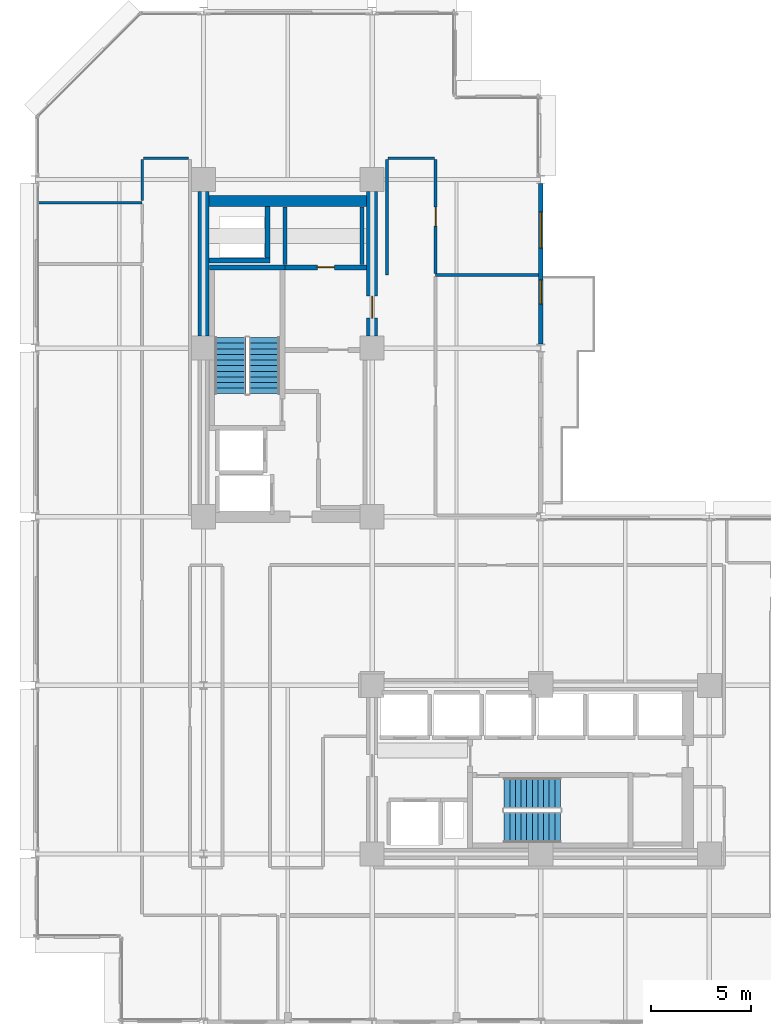
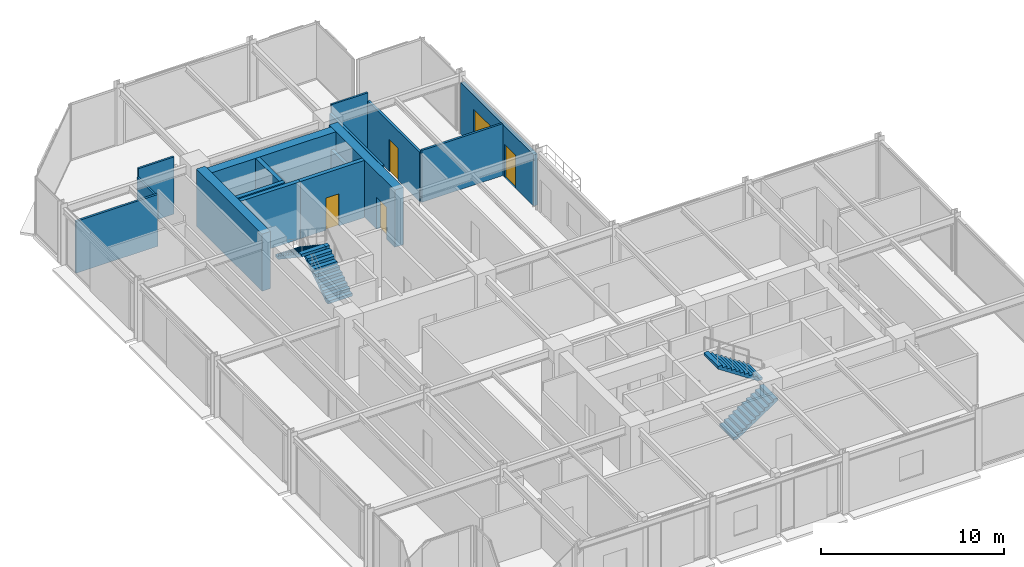
# One storey, part 26 of 30: 17 walls, 4 doors, 4 stair flights, 1 window, 5 openings, 2 elements without a shape of their own.
"""IFC4 building model written with IfcOpenShell, lengths in metres."""

from ifc_helpers import new_model, si_unit, direction, frame, frame_2d, origin, place, context, subcontext, project, spatial, polyline, rectangle, outline, extrude, material, layer, layer_set, type_object, element, fill, aggregate, save


model = new_model("IFC4")

# Units and contexts
model_context = context("Model", 3, precision=1e-05, world=origin(), true_north=direction((0.0, 1.0)))
body_context = subcontext(model_context, "Body", "Model", "MODEL_VIEW")
ifc_project = project(units=[si_unit("LENGTHUNIT", "METRE"), si_unit("AREAUNIT", "SQUARE_METRE"), si_unit("VOLUMEUNIT", "CUBIC_METRE"), si_unit("PLANEANGLEUNIT", "RADIAN"), si_unit("MASSUNIT", "GRAM", prefix="KILO")], contexts=[model_context])

# Site, building, storey
site_placement = place(None, origin())
site = spatial("IfcSite", under=ifc_project, at=site_placement, CompositionType="ELEMENT")
building_placement = place(site_placement, origin())
building = spatial("IfcBuilding", under=site, at=building_placement, Name="Nerrivon Quay Data Exchange", CompositionType="ELEMENT")
storey_placement = place(building_placement, frame((0.0, 0.0, 154.10009765625)))
storey = spatial("IfcBuildingStorey", under=building, at=storey_placement, Name="L36", CompositionType="ELEMENT", Elevation=154.10009765625)

# Wall, openings, door, window
ifc_material_1 = material(Name="Architectural terracotta precast concrete N50 (50 MPa)", Category="masonry")
ifc_layer_1 = layer(ifc_material_1, 0.239990234375)
ifc_layer_set_1 = layer_set([ifc_layer_1], Name="Architectural terracotta precast concrete N50 (50 MPa)")
wall_type_1 = type_object("IfcWallType", Name="EW-PREC-240", PredefinedType="STANDARD", material=ifc_layer_set_1)
wall_1_placement = place(storey_placement, frame((25.199951171875, 41.800048828125, 0.0), z_axis=(0.0, 0.0, 1.0), x_axis=(0.0, -1.0, 0.0)))
wall_1 = element("IfcWall", 1, at=wall_1_placement, inside=storey, type_object=wall_type_1, Name="L36 Terrace Host Wall 24", PredefinedType="STANDARD", context=body_context, shape_type="SweptSolid", body=[
    extrude(rectangle(XDim=8.0, YDim=0.239990234375, at=frame_2d((4.0, 0.0))), origin(), (0.0, 0.0, 1.0), 3.421875),
])
opening_1_placement = place(wall_1_placement, frame((4.800048828125, 0.0, 0.0)))
opening_1 = element("IfcOpeningElement", 2, at=opening_1_placement, cuts=wall_1, Name="Opening TD1", PredefinedType="OPENING", context=body_context, shape_type="SweptSolid", body=[
    extrude(rectangle(XDim=1.199951171875, YDim=2.199951171875, at=frame_2d((0.60009765625, 1.10009765625))), frame((0.0, 0.1298828125, 0.0), z_axis=(0.0, -1.0, 0.0), x_axis=(1.0, 0.0, 0.0)), (0.0, 0.0, 1.0), 0.260009765625),
])
opening_2_placement = place(wall_1_placement, frame((1.410888671875, 0.0, 0.89990234375)))
opening_2 = element("IfcOpeningElement", 3, at=opening_2_placement, cuts=wall_1, Name="Opening WN2", PredefinedType="OPENING", context=body_context, shape_type="SweptSolid", body=[
    extrude(rectangle(XDim=1.800048828125, YDim=1.60009765625, at=frame_2d((0.89990234375, 0.800048828125))), frame((0.0, 0.1298828125, 0.0), z_axis=(0.0, -1.0, 0.0), x_axis=(1.0, 0.0, 0.0)), (0.0, 0.0, 1.0), 0.260009765625),
])
ifc_material_2 = material(Name="Double-glazed low-E solar control glass", Category="glass")
door_type_1 = type_object("IfcDoorType", Name="DR-TERR-1200x2200", OperationType="NOTDEFINED", PredefinedType="DOOR", material=ifc_material_2)
door_1_placement = place(opening_1_placement, origin())
door_1 = element("IfcDoor", 4, at=door_1_placement, inside=storey, type_object=door_type_1, Name="L36 Outdoor Terrace Access Door 24", OperationType="SINGLE_SWING_LEFT", OverallHeight=2.199951171875, OverallWidth=1.199951171875, PredefinedType="DOOR", context=body_context, shape_type="SweptSolid", body=[
    extrude(rectangle(XDim=1.199951171875, YDim=2.199951171875, at=frame_2d((0.60009765625, 1.10009765625))), frame((0.0, 0.02490234375, 0.0), z_axis=(0.0, -1.0, 0.0), x_axis=(1.0, 0.0, 0.0)), (0.0, 0.0, 1.0), 0.050048828125),
])
fill(opening_1, door_1)
window_type = type_object("IfcWindowType", Name="WIN-W2-1800x1600", PartitioningType="SINGLE_PANEL", PredefinedType="WINDOW", material=ifc_material_2)
window_placement = place(opening_2_placement, origin())
window = element("IfcWindow", 5, at=window_placement, inside=storey, type_object=window_type, Name="L36 Terrace Side Window 24", OverallHeight=1.60009765625, OverallWidth=1.800048828125, PartitioningType="SINGLE_PANEL", PredefinedType="WINDOW", context=body_context, shape_type="SweptSolid", body=[
    extrude(rectangle(XDim=1.800048828125, YDim=1.60009765625, at=frame_2d((0.89990234375, 0.800048828125))), frame((0.0, 0.030029296875, 0.0), z_axis=(0.0, -1.0, 0.0), x_axis=(1.0, 0.0, 0.0)), (0.0, 0.0, 1.0), 0.06005859375),
])
fill(opening_2, window)

# Walls
ifc_material_3 = material(Name="Concrete S65 (65 MPa)", Category="concrete")
ifc_layer_2 = layer(ifc_material_3, 0.550048828125)
ifc_layer_set_2 = layer_set([ifc_layer_2], Name="Concrete S65 (65 MPa)")
wall_type_2 = type_object("IfcWallType", Name="WALL-CW-700", PredefinedType="SHEAR", material=ifc_layer_set_2)
wall_2_placement = place(storey_placement, frame((8.39990234375, 34.199951171875, 0.0), z_axis=(0.0, 0.0, 1.0), x_axis=(0.0, 1.0, 0.0)))
element("IfcWall", 6, at=wall_2_placement, inside=storey, type_object=wall_type_2, Name="L36 West Split-Core Shear Wall WCW-W2", PredefinedType="SHEAR", context=body_context, shape_type="SweptSolid", body=[
    extrude(rectangle(XDim=7.199951171875, YDim=0.550048828125, at=frame_2d((3.60009765625, 0.0))), origin(), (0.0, 0.0, 1.0), 3.824951171875),
])
wall_3_placement = place(storey_placement, frame((8.675048828125, 40.925048828125, 0.0), z_axis=(0.0, 0.0, 1.0), x_axis=(1.0, 0.0, 0.0)))
element("IfcWall", 7, at=wall_3_placement, inside=storey, type_object=wall_type_2, Name="L36 West Split-Core Shear Wall WCW-N1", PredefinedType="SHEAR", context=body_context, shape_type="SweptSolid", body=[
    extrude(rectangle(XDim=7.849853515625, YDim=0.550048828125, at=frame_2d((3.9248046875, 0.0))), origin(), (0.0, 0.0, 1.0), 3.824951171875),
])

# Wall, opening, door
wall_4_placement = place(storey_placement, frame((16.800048828125, 34.199951171875, 0.0), z_axis=(0.0, 0.0, 1.0), x_axis=(0.0, 1.0, 0.0)))
wall_4 = element("IfcWall", 8, at=wall_4_placement, inside=storey, type_object=wall_type_2, Name="L36 West Split-Core Shear Wall WCW-E1", PredefinedType="SHEAR", context=body_context, shape_type="SweptSolid", body=[
    extrude(rectangle(XDim=7.199951171875, YDim=0.550048828125, at=frame_2d((3.60009765625, 0.0))), origin(), (0.0, 0.0, 1.0), 3.824951171875),
])
opening_3_placement = place(wall_4_placement, frame((0.89990234375, 0.0, 0.0)))
opening_3 = element("IfcOpeningElement", 9, at=opening_3_placement, cuts=wall_4, Name="Opening FD-120", PredefinedType="OPENING", context=body_context, shape_type="SweptSolid", body=[
    extrude(rectangle(XDim=1.10009765625, YDim=2.14990234375, at=frame_2d((0.550048828125, 1.074951171875))), frame((0.0, 0.284912109375, 0.0), z_axis=(0.0, -1.0, 0.0), x_axis=(1.0, 0.0, 0.0)), (0.0, 0.0, 1.0), 0.570068359375),
])
ifc_material_4 = material(Name="Powder-coated galvanized steel sheet", Category="steel")
door_type_2 = type_object("IfcDoorType", Name="DR-FD120-1100", OperationType="NOTDEFINED", PredefinedType="DOOR", material=ifc_material_4)
door_2_placement = place(opening_3_placement, origin())
door_2 = element("IfcDoor", 10, at=door_2_placement, inside=storey, type_object=door_type_2, Name="L36 West Core Lobby Fire Door", OperationType="SINGLE_SWING_RIGHT", OverallHeight=2.14990234375, OverallWidth=1.10009765625, PredefinedType="DOOR", context=body_context, shape_type="SweptSolid", body=[
    extrude(rectangle(XDim=1.10009765625, YDim=2.14990234375, at=frame_2d((0.550048828125, 1.074951171875))), frame((0.0, 0.02490234375, 0.0), z_axis=(0.0, -1.0, 0.0), x_axis=(1.0, 0.0, 0.0)), (0.0, 0.0, 1.0), 0.050048828125),
])
fill(opening_3, door_2)

# Walls
ifc_material_5 = material(Name="Gypsum plasterboard on cold-formed framing", Category="gypsum")
ifc_layer_3 = layer(ifc_material_5, 0.199951171875)
ifc_layer_set_3 = layer_set([ifc_layer_3], Name="Gypsum plasterboard on cold-formed framing")
wall_type_3 = type_object("IfcWallType", Name="WALL-FW-200", PredefinedType="PARTITIONING", material=ifc_layer_set_3)
for number, where, z_axis, x_axis, name in (
    (11, (16.300048828125, 37.780029296875, 0.0), (0.0, 0.0, 1.0), (0.0, 1.0, 0.0), "L36 Partition Cleaners Store"),
    (12, (12.449951171875, 40.64599609375, 0.0), (0.0, 0.0, 1.0), (0.0, -1.0, 0.0), "L36 Partition Cleaners Store"),
):
    element("IfcWall", number, at=place(storey_placement, frame(where, z_axis=z_axis, x_axis=x_axis)), inside=storey, type_object=wall_type_3, Name=name, PredefinedType="PARTITIONING", context=body_context, shape_type="SweptSolid", body=[
        extrude(rectangle(XDim=2.865966796875, YDim=0.199951171875, at=frame_2d((1.43310546875, 0.0))), origin(), (0.0, 0.0, 1.0), 2.724853515625),
    ])
ifc_layer_4 = layer(ifc_material_5, 0.1201171875)
ifc_layer_set_4 = layer_set([ifc_layer_4], Name="Gypsum plasterboard on cold-formed framing")
wall_type_4 = type_object("IfcWallType", Name="WALL-PT-120", PredefinedType="PARTITIONING", material=ifc_layer_set_4)
wall_5_placement = place(storey_placement, frame((17.60009765625, 43.06005859375, 0.0), z_axis=(0.0, 0.0, 1.0), x_axis=(1.0, 0.0, 0.0)))
element("IfcWall", 13, at=wall_5_placement, inside=storey, type_object=wall_type_4, Name="L36 Partition Technical Seminar Room", PredefinedType="PARTITIONING", context=body_context, shape_type="SweptSolid", body=[
    extrude(rectangle(XDim=2.2998046875, YDim=0.1201171875, at=frame_2d((1.14990234375, 0.0))), origin(), (0.0, 0.0, 1.0), 3.824951171875),
])
wall_6_placement = place(storey_placement, frame((5.340087890625, 40.969970703125, 0.0), z_axis=(0.0, 0.0, 1.0), x_axis=(0.0, 1.0, 0.0)))
element("IfcWall", 14, at=wall_6_placement, inside=storey, type_object=wall_type_4, Name="L36 Partition Technical Seminar Room", PredefinedType="PARTITIONING", context=body_context, shape_type="SweptSolid", body=[
    extrude(rectangle(XDim=2.030029296875, YDim=0.1201171875, at=frame_2d((1.01513671875, 0.0))), origin(), (0.0, 0.0, 1.0), 3.2919921875),
])
wall_7_placement = place(storey_placement, frame((5.39990234375, 43.06005859375, 0.0), z_axis=(0.0, 0.0, 1.0), x_axis=(1.0, 0.0, 0.0)))
element("IfcWall", 15, at=wall_7_placement, inside=storey, type_object=wall_type_4, Name="L36 Partition Technical Seminar Room", PredefinedType="PARTITIONING", context=body_context, shape_type="SweptSolid", body=[
    extrude(rectangle(XDim=2.25, YDim=0.1201171875, at=frame_2d((1.125, 0.0))), origin(), (0.0, 0.0, 1.0), 3.824951171875),
])
ifc_layer_5 = layer(ifc_material_5, 0.135009765625)
ifc_layer_set_5 = layer_set([ifc_layer_5], Name="Gypsum plasterboard on cold-formed framing")
wall_type_5 = type_object("IfcWallType", Name="WALL-PT-135", PredefinedType="PARTITIONING", material=ifc_layer_set_5)
wall_8_placement = place(storey_placement, frame((5.340087890625, 40.85009765625, 0.0), z_axis=(0.0, 0.0, 1.0), x_axis=(-1.0, 0.0, 0.0)))
element("IfcWall", 16, at=wall_8_placement, inside=storey, type_object=wall_type_5, Name="L36 Partition Accessible Toilet", PredefinedType="PARTITIONING", context=body_context, shape_type="SweptSolid", body=[
    extrude(rectangle(XDim=5.171142578125, YDim=0.135009765625, at=frame_2d((2.58544921875, 0.0))), origin(), (0.0, 0.0, 1.0), 3.468994140625),
])
wall_9_placement = place(storey_placement, frame((25.075927734375, 37.248046875, 0.0), z_axis=(0.0, 0.0, 1.0), x_axis=(-1.0, 0.0, 0.0)))
element("IfcWall", 17, at=wall_9_placement, inside=storey, type_object=wall_type_5, Name="L36 Partition Executive Boardroom", PredefinedType="PARTITIONING", context=body_context, shape_type="SweptSolid", body=[
    extrude(rectangle(XDim=5.115966796875, YDim=0.135009765625, at=frame_2d((2.55810546875, 0.0))), origin(), (0.0, 0.0, 1.0), 3.468994140625),
])
ifc_layer_6 = layer(ifc_material_5, 0.14990234375)
ifc_layer_set_6 = layer_set([ifc_layer_6], Name="Gypsum plasterboard on cold-formed framing")
wall_type_6 = type_object("IfcWallType", Name="WALL-PT-150", PredefinedType="PARTITIONING", material=ifc_layer_set_6)
wall_10_placement = place(storey_placement, frame((17.5400390625, 37.248046875, 0.0), z_axis=(0.0, 0.0, 1.0), x_axis=(0.0, 1.0, 0.0)))
element("IfcWall", 18, at=wall_10_placement, inside=storey, type_object=wall_type_6, Name="L36 Partition Technical Seminar Room", PredefinedType="PARTITIONING", context=body_context, shape_type="SweptSolid", body=[
    extrude(rectangle(XDim=5.751953125, YDim=0.14990234375, at=frame_2d((2.8759765625, 0.0))), origin(), (0.0, 0.0, 1.0), 3.2919921875),
])

# Wall, opening, door
wall_11_placement = place(storey_placement, frame((19.9599609375, 43.0, 0.0), z_axis=(0.0, 0.0, 1.0), x_axis=(0.0, -1.0, 0.0)))
wall_11 = element("IfcWall", 19, at=wall_11_placement, inside=storey, type_object=wall_type_6, Name="L36 Partition Technical Seminar Room", PredefinedType="PARTITIONING", context=body_context, shape_type="SweptSolid", body=[
    extrude(rectangle(XDim=5.680419921875, YDim=0.14990234375, at=frame_2d((2.84033203125, 0.0))), origin(), (0.0, 0.0, 1.0), 3.2919921875),
])
opening_4_placement = place(wall_11_placement, frame((2.365234375, 0.0, 0.0)))
opening_4 = element("IfcOpeningElement", 20, at=opening_4_placement, cuts=wall_11, Name="Opening D-01", PredefinedType="OPENING", context=body_context, shape_type="SweptSolid", body=[
    extrude(rectangle(XDim=0.949951171875, YDim=2.14990234375, at=frame_2d((0.47509765625, 1.074951171875))), frame((0.0, 0.0849609375, 0.0), z_axis=(0.0, -1.0, 0.0), x_axis=(1.0, 0.0, 0.0)), (0.0, 0.0, 1.0), 0.169921875),
])
ifc_material_6 = material(Name="Engineered hardwood timber", Category="wood")
door_type_3 = type_object("IfcDoorType", Name="DR-INT-950", OperationType="NOTDEFINED", PredefinedType="DOOR", material=ifc_material_6)
door_3_placement = place(opening_4_placement, origin())
door_3 = element("IfcDoor", 21, at=door_3_placement, inside=storey, type_object=door_type_3, Name="L36 Door Technical Seminar Room", OperationType="SINGLE_SWING_LEFT", OverallHeight=2.14990234375, OverallWidth=0.949951171875, PredefinedType="DOOR", context=body_context, shape_type="SweptSolid", body=[
    extrude(rectangle(XDim=0.949951171875, YDim=2.14990234375, at=frame_2d((0.47509765625, 1.074951171875))), frame((0.0, 0.02490234375, 0.0), z_axis=(0.0, -1.0, 0.0), x_axis=(1.0, 0.0, 0.0)), (0.0, 0.0, 1.0), 0.050048828125),
])
fill(opening_4, door_3)

# Walls
ifc_material_7 = material(Name="Concrete N50 (50 MPa)", Category="concrete")
ifc_layer_7 = layer(ifc_material_7, 0.25)
ifc_layer_set_7 = layer_set([ifc_layer_7], Name="Concrete N50 (50 MPa)")
wall_type_7 = type_object("IfcWallType", Name="WALL-SW-250", PredefinedType="SHEAR", material=ifc_layer_set_7)
wall_12_placement = place(storey_placement, frame((12.449951171875, 37.625, 0.0), z_axis=(0.0, 0.0, 1.0), x_axis=(-1.0, 0.0, 0.0)))
element("IfcWall", 22, at=wall_12_placement, inside=storey, type_object=wall_type_7, Name="L36 ST01 Structural Stair Core Wall FAR", PredefinedType="SHEAR", context=body_context, shape_type="SweptSolid", body=[
    extrude(rectangle(XDim=3.75, YDim=0.25, at=frame_2d((1.875, 0.0))), origin(), (0.0, 0.0, 1.0), 3.824951171875),
])
wall_13_placement = place(storey_placement, frame((8.675048828125, 37.97509765625, 0.0), z_axis=(0.0, 0.0, 1.0), x_axis=(1.0, 0.0, 0.0)))
element("IfcWall", 23, at=wall_13_placement, inside=storey, type_object=wall_type_7, Name="L36 West Core MEP Riser Shaft Wall S", PredefinedType="SHEAR", context=body_context, shape_type="SweptSolid", body=[
    extrude(rectangle(XDim=3.02490234375, YDim=0.25, at=frame_2d((1.512451171875, 0.0))), origin(), (0.0, 0.0, 1.0), 3.824951171875),
])
wall_14_placement = place(storey_placement, frame((11.574951171875, 38.10009765625, 0.0), z_axis=(0.0, 0.0, 1.0), x_axis=(0.0, 1.0, 0.0)))
element("IfcWall", 24, at=wall_14_placement, inside=storey, type_object=wall_type_7, Name="L36 West Core MEP Riser Shaft Wall E", PredefinedType="SHEAR", context=body_context, shape_type="SweptSolid", body=[
    extrude(rectangle(XDim=2.5498046875, YDim=0.25, at=frame_2d((1.27490234375, 0.0))), origin(), (0.0, 0.0, 1.0), 3.824951171875),
])

# Wall, opening, door
wall_15_placement = place(storey_placement, frame((12.449951171875, 37.625, 0.0), z_axis=(0.0, 0.0, 1.0), x_axis=(1.0, 0.0, 0.0)))
wall_15 = element("IfcWall", 25, at=wall_15_placement, inside=storey, type_object=wall_type_7, Name="L36 West Firefighting Lobby Wall", PredefinedType="SHEAR", context=body_context, shape_type="SweptSolid", body=[
    extrude(rectangle(XDim=4.074951171875, YDim=0.25, at=frame_2d((2.03759765625, 0.0))), origin(), (0.0, 0.0, 1.0), 3.824951171875),
])
opening_5_placement = place(wall_15_placement, frame((1.612548828125, 0.0, 0.0)))
opening_5 = element("IfcOpeningElement", 26, at=opening_5_placement, cuts=wall_15, Name="Opening FD-60S", PredefinedType="OPENING", context=body_context, shape_type="SweptSolid", body=[
    extrude(rectangle(XDim=0.85009765625, YDim=2.14990234375, at=frame_2d((0.425048828125, 1.074951171875))), frame((0.0, 0.135009765625, 0.0), z_axis=(0.0, -1.0, 0.0), x_axis=(1.0, 0.0, 0.0)), (0.0, 0.0, 1.0), 0.27001953125),
])
door_type_4 = type_object("IfcDoorType", Name="DR-FD60-850", OperationType="NOTDEFINED", PredefinedType="DOOR", material=ifc_material_6)
door_4_placement = place(opening_5_placement, origin())
door_4 = element("IfcDoor", 27, at=door_4_placement, inside=storey, type_object=door_type_4, Name="L36 Door Cleaners Store", OperationType="SINGLE_SWING_LEFT", OverallHeight=2.14990234375, OverallWidth=0.85009765625, PredefinedType="DOOR", context=body_context, shape_type="SweptSolid", body=[
    extrude(rectangle(XDim=0.85009765625, YDim=2.14990234375, at=frame_2d((0.425048828125, 1.074951171875))), frame((0.0, 0.02490234375, 0.0), z_axis=(0.0, -1.0, 0.0), x_axis=(1.0, 0.0, 0.0)), (0.0, 0.0, 1.0), 0.050048828125),
])
fill(opening_5, door_4)

# Stair, stair flights
stair_type = type_object("IfcStairType", Name="STAIR-DOG-41", PredefinedType="HALF_TURN_STAIR", material=ifc_material_7)
stair_1_placement = place(storey_placement, origin())
stair_1 = element("IfcStair", 28, at=stair_1_placement, inside=storey, type_object=stair_type, Name="L36 West Core Fire Stair ST01", PredefinedType="HALF_TURN_STAIR")
stair_flight_type = type_object("IfcStairFlightType", Name="FLIGHT-DOG-41", PredefinedType="STRAIGHT", material=ifc_material_7)
stair_flight_1_placement = place(storey_placement, frame((11.425048828125, 31.330078125, 0.0), z_axis=(0.0, 0.0, 1.0), x_axis=(0.0, 1.0, 0.0)))
stair_flight_1 = element("IfcStairFlight", 29, at=stair_flight_1_placement, type_object=stair_flight_type, Name="ST01 flight 1", NumberOfRisers=11, NumberOfTreads=10, PredefinedType="STRAIGHT", RiserHeight=0.186363636, TreadLength=0.28, context=body_context, shape_type="SweptSolid", body=[
    extrude(outline(polyline([(0.0, 0.0), (0.0, 0.186279296875), (0.280029296875, 0.186279296875), (0.280029296875, 0.372802734375), (0.56005859375, 0.372802734375), (0.56005859375, 0.55908203125), (0.840087890625, 0.55908203125), (0.840087890625, 0.745361328125), (1.1201171875, 0.745361328125), (1.1201171875, 0.931884765625), (1.39990234375, 0.931884765625), (1.39990234375, 1.1181640625), (1.679931640625, 1.1181640625), (1.679931640625, 1.304443359375), (1.9599609375, 1.304443359375), (1.9599609375, 1.490966796875), (2.239990234375, 1.490966796875), (2.239990234375, 1.67724609375), (2.52001953125, 1.67724609375), (2.52001953125, 1.863525390625), (2.800048828125, 1.863525390625), (2.800048828125, 2.050048828125), (2.800048828125, 1.68359375), (0.2705078125, 0.0), (0.0, 0.0)])), frame((0.0, 0.77490234375, 0.0), z_axis=(0.0, -1.0, 0.0), x_axis=(1.0, 0.0, 0.0)), (0.0, 0.0, 1.0), 1.550048828125),
])
stair_flight_2_placement = place(storey_placement, frame((9.72509765625, 34.1298828125, 2.0498046875), z_axis=(0.0, 0.0, 1.0), x_axis=(0.0, -1.0, 0.0)))
stair_flight_2 = element("IfcStairFlight", 30, at=stair_flight_2_placement, type_object=stair_flight_type, Name="ST01 flight 2", NumberOfRisers=11, NumberOfTreads=10, PredefinedType="STRAIGHT", RiserHeight=0.186363636, TreadLength=0.28, context=body_context, shape_type="SweptSolid", body=[
    extrude(outline(polyline([(0.0, 0.0), (0.0, 0.186279296875), (0.280029296875, 0.186279296875), (0.280029296875, 0.372802734375), (0.56005859375, 0.372802734375), (0.56005859375, 0.55908203125), (0.840087890625, 0.55908203125), (0.840087890625, 0.745361328125), (1.1201171875, 0.745361328125), (1.1201171875, 0.931884765625), (1.39990234375, 0.931884765625), (1.39990234375, 1.1181640625), (1.679931640625, 1.1181640625), (1.679931640625, 1.304443359375), (1.9599609375, 1.304443359375), (1.9599609375, 1.490966796875), (2.239990234375, 1.490966796875), (2.239990234375, 1.67724609375), (2.52001953125, 1.67724609375), (2.52001953125, 1.863525390625), (2.800048828125, 1.863525390625), (2.800048828125, 2.050048828125), (2.800048828125, 1.68359375), (0.2705078125, 0.0), (0.0, 0.0)])), frame((0.0, 0.77490234375, 0.0), z_axis=(0.0, -1.0, 0.0), x_axis=(1.0, 0.0, 0.0)), (0.0, 0.0, 1.0), 1.550048828125),
])
aggregate(stair_1, [stair_flight_1, stair_flight_2])

stair_2_placement = place(storey_placement, origin())
stair_2 = element("IfcStair", 31, at=stair_2_placement, inside=storey, type_object=stair_type, Name="L36 East Core Fire Stair ST02", PredefinedType="HALF_TURN_STAIR")
stair_flight_3_placement = place(storey_placement, frame((23.3798828125, 9.72509765625, 0.0), z_axis=(0.0, 0.0, 1.0), x_axis=(1.0, 0.0, 0.0)))
stair_flight_3 = element("IfcStairFlight", 32, at=stair_flight_3_placement, type_object=stair_flight_type, Name="ST02 flight 1", NumberOfRisers=11, NumberOfTreads=10, PredefinedType="STRAIGHT", RiserHeight=0.186363636, TreadLength=0.28, context=body_context, shape_type="SweptSolid", body=[
    extrude(outline(polyline([(0.0, 0.0), (0.0, 0.186279296875), (0.280029296875, 0.186279296875), (0.280029296875, 0.372802734375), (0.56005859375, 0.372802734375), (0.56005859375, 0.55908203125), (0.840087890625, 0.55908203125), (0.840087890625, 0.745361328125), (1.1201171875, 0.745361328125), (1.1201171875, 0.931884765625), (1.39990234375, 0.931884765625), (1.39990234375, 1.1181640625), (1.679931640625, 1.1181640625), (1.679931640625, 1.304443359375), (1.9599609375, 1.304443359375), (1.9599609375, 1.490966796875), (2.239990234375, 1.490966796875), (2.239990234375, 1.67724609375), (2.52001953125, 1.67724609375), (2.52001953125, 1.863525390625), (2.800048828125, 1.863525390625), (2.800048828125, 2.050048828125), (2.800048828125, 1.68359375), (0.2705078125, 0.0), (0.0, 0.0)])), frame((0.0, 0.77490234375, 0.0), z_axis=(0.0, -1.0, 0.0), x_axis=(1.0, 0.0, 0.0)), (0.0, 0.0, 1.0), 1.550048828125),
])
stair_flight_4_placement = place(storey_placement, frame((26.179931640625, 11.425048828125, 2.0498046875), z_axis=(0.0, 0.0, 1.0), x_axis=(-1.0, 0.0, 0.0)))
stair_flight_4 = element("IfcStairFlight", 33, at=stair_flight_4_placement, type_object=stair_flight_type, Name="ST02 flight 2", NumberOfRisers=11, NumberOfTreads=10, PredefinedType="STRAIGHT", RiserHeight=0.186363636, TreadLength=0.28, context=body_context, shape_type="SweptSolid", body=[
    extrude(outline(polyline([(0.0, 0.0), (0.0, 0.186279296875), (0.280029296875, 0.186279296875), (0.280029296875, 0.372802734375), (0.56005859375, 0.372802734375), (0.56005859375, 0.55908203125), (0.840087890625, 0.55908203125), (0.840087890625, 0.745361328125), (1.1201171875, 0.745361328125), (1.1201171875, 0.931884765625), (1.39990234375, 0.931884765625), (1.39990234375, 1.1181640625), (1.679931640625, 1.1181640625), (1.679931640625, 1.304443359375), (1.9599609375, 1.304443359375), (1.9599609375, 1.490966796875), (2.239990234375, 1.490966796875), (2.239990234375, 1.67724609375), (2.52001953125, 1.67724609375), (2.52001953125, 1.863525390625), (2.800048828125, 1.863525390625), (2.800048828125, 2.050048828125), (2.800048828125, 1.68359375), (0.2705078125, 0.0), (0.0, 0.0)])), frame((0.0, 0.77490234375, 0.0), z_axis=(0.0, -1.0, 0.0), x_axis=(1.0, 0.0, 0.0)), (0.0, 0.0, 1.0), 1.550048828125),
])
aggregate(stair_2, [stair_flight_3, stair_flight_4])

save(model, "model.ifc")
